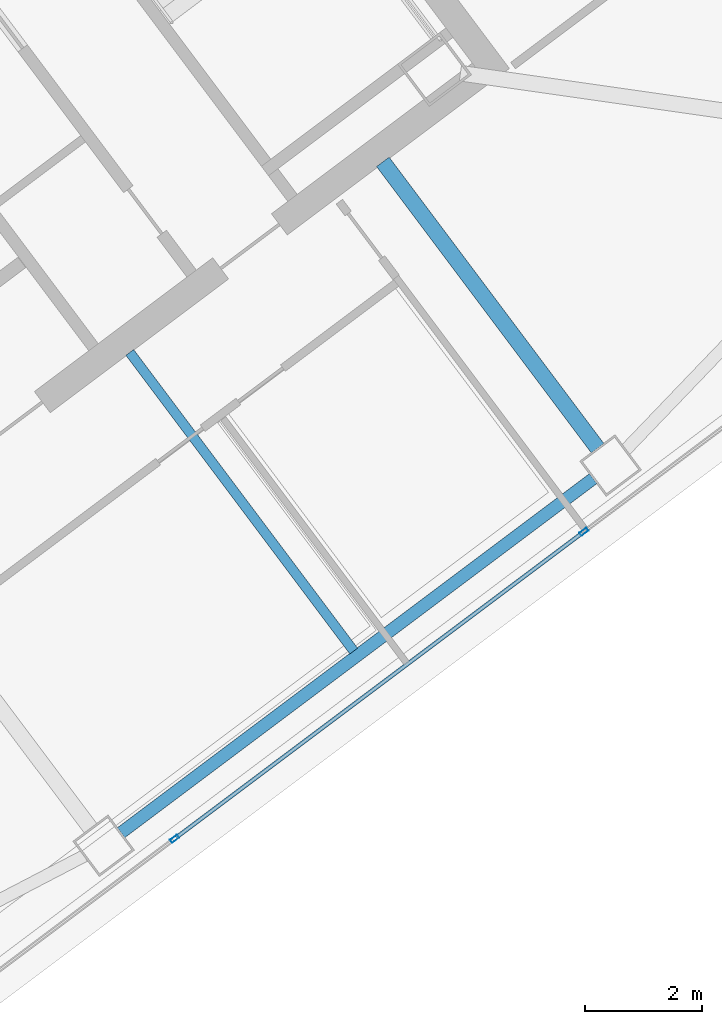
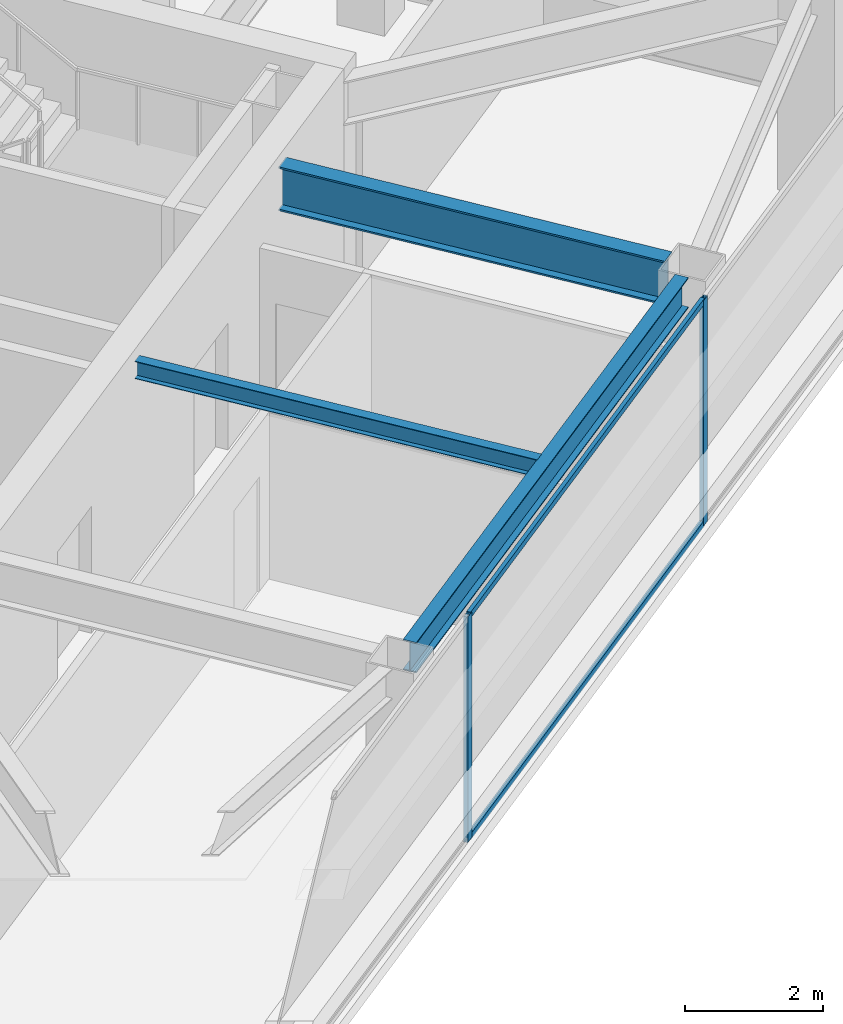
# One storey, part 33 of 53: 4 members, 3 beams, 1 element without a shape of its own.
"""IFC4 building model written with IfcOpenShell, lengths in metres."""

from ifc_helpers import new_model, si_unit, direction, frame, origin, origin_2d, place, context, subcontext, project, spatial, hollow_rectangle, i_section, extrude, material, material_profile, profile_set, type_object, element, aggregate, save


model = new_model("IFC4")

# Units and contexts
model_context = context("Model", 3, precision=1e-05, world=origin(), true_north=direction((0.0, 1.0)))
body_context = subcontext(model_context, "Body", "Model", "MODEL_VIEW")
ifc_project = project(units=[si_unit("LENGTHUNIT", "METRE"), si_unit("AREAUNIT", "SQUARE_METRE"), si_unit("VOLUMEUNIT", "CUBIC_METRE"), si_unit("PLANEANGLEUNIT", "RADIAN"), si_unit("MASSUNIT", "GRAM", prefix="KILO")], contexts=[model_context])

# Site, building, storey
site_placement = place(None, origin())
site = spatial("IfcSite", under=ifc_project, at=site_placement, CompositionType="ELEMENT")
building_placement = place(site_placement, origin())
building = spatial("IfcBuilding", under=site, at=building_placement, Name="Tashvorn Skyway Center", CompositionType="ELEMENT")
storey_placement = place(building_placement, frame((0.0, 0.0, 255.39990234375)))
storey = spatial("IfcBuildingStorey", under=building, at=storey_placement, Name="L69", CompositionType="ELEMENT", Elevation=255.39990234375)

# Beams
ifc_material_1 = material(Name="Steel ASTM A992 Grade 50", Category="steel")
ifc_material_profile_1 = material_profile(ifc_material_1, i_section(OverallWidth=0.26708984375, OverallDepth=0.779052734375, WebThickness=0.0166015625, FlangeThickness=0.030029296875, at=origin_2d()), Name="W30X148")
ifc_profile_set_1 = profile_set([ifc_material_profile_1], Name="Steel ASTM A992 Grade 50")
beam_type_1 = type_object("IfcBeamType", Name="BM-BEAM-W30X148", PredefinedType="BEAM", material=ifc_profile_set_1)
beam_1_placement = place(storey_placement, frame((126.64794921875, 24.135986328125, 3.390625), z_axis=(-0.599980788915, 0.800014407953, 0.0), x_axis=(-0.800014407953, -0.599980788915, 0.0)))
element("IfcBeam", 1, at=beam_1_placement, inside=storey, type_object=beam_type_1, Name="Tower 2 L69 Primary Floor Girder FC-S2", PredefinedType="BEAM", context=body_context, shape_type="SweptSolid", body=[
    extrude(i_section(OverallWidth=0.26708984375, OverallDepth=0.779052734375, WebThickness=0.0166015625, FlangeThickness=0.030029296875, at=origin_2d()), origin(), (0.0, 0.0, 1.0), 6.10009765625),
])
ifc_material_profile_2 = material_profile(ifc_material_1, i_section(OverallWidth=0.1650390625, OverallDepth=0.31005859375, WebThickness=0.005859375, FlangeThickness=0.009765625, at=origin_2d()), Name="W12X26")
ifc_profile_set_2 = profile_set([ifc_material_profile_2], Name="Steel ASTM A992 Grade 50")
beam_type_2 = type_object("IfcBeamType", Name="BM-JOIST-W12X26", PredefinedType="JOIST", material=ifc_profile_set_2)
beam_2_placement = place(storey_placement, frame((118.674072265625, 25.76806640625, 3.625), z_axis=(0.599981581373, -0.800013813639, 0.0), x_axis=(0.800013813639, 0.599981581373, 0.0)))
element("IfcBeam", 2, at=beam_2_placement, inside=storey, type_object=beam_type_2, Name="Tower 2 L69 Secondary Composite Joist JS", PredefinedType="JOIST", context=body_context, shape_type="SweptSolid", body=[
    extrude(i_section(OverallWidth=0.1650390625, OverallDepth=0.31005859375, WebThickness=0.005859375, FlangeThickness=0.009765625, at=origin_2d()), origin(), (0.0, 0.0, 1.0), 6.362548828125),
])
ifc_material_profile_3 = material_profile(ifc_material_1, i_section(OverallWidth=0.2109375, OverallDepth=0.5390625, WebThickness=0.01171875, FlangeThickness=0.018798828125, at=origin_2d()), Name="W21X73")
ifc_profile_set_3 = profile_set([ifc_material_profile_3], Name="Steel ASTM A992 Grade 50")
beam_type_3 = type_object("IfcBeamType", Name="BM-SPANDREL-W21X73", PredefinedType="SPANDREL", material=ifc_profile_set_3)
beam_3_placement = place(storey_placement, frame((118.52587890625, 17.58203125, 3.510498046875), z_axis=(0.800008736549, 0.599988351091, 0.0), x_axis=(-0.599988351091, 0.800008736549, 0.0)))
element("IfcBeam", 3, at=beam_3_placement, inside=storey, type_object=beam_type_3, Name="Tower 2 L69 Spandrel Beam 02", PredefinedType="SPANDREL", context=body_context, shape_type="SweptSolid", body=[
    extrude(i_section(OverallWidth=0.2109375, OverallDepth=0.5390625, WebThickness=0.01171875, FlangeThickness=0.018798828125, at=origin_2d()), origin(), (0.0, 0.0, 1.0), 10.06005859375),
])

# Curtain wall, members
ifc_material_2 = material(Name="Thermally broken bronze-anodized aluminium 6063-T6", Category="aluminium")
curtain_wall_type = type_object("IfcCurtainWallType", Name="CW-CW-SKY", PredefinedType="NOTDEFINED", material=ifc_material_2)
curtain_wall_placement = place(storey_placement, origin())
curtain_wall = element("IfcCurtainWall", 4, at=curtain_wall_placement, inside=storey, type_object=curtain_wall_type, Name="Tower 2 L69 South Unitised Curtain Wall", PredefinedType="NOTDEFINED")
ifc_material_profile_4 = material_profile(ifc_material_2, hollow_rectangle(XDim=0.06494140625, YDim=0.14990234375, WallThickness=0.00390625, at=origin_2d()), Name="ALU-MULL-65x150")
ifc_profile_set_4 = profile_set([ifc_material_profile_4], Name="Thermally broken bronze-anodized aluminium 6063-T6")
member_type_1 = type_object("IfcMemberType", Name="CWM-CW-SKY", PredefinedType="MULLION", material=ifc_profile_set_4)
member_1_placement = place(storey_placement, frame((126.416015625, 22.7119140625, 0.0), z_axis=(0.0, 0.0, 1.0), x_axis=(0.600000000002, -0.799999999998, 0.0)))
member_1 = element("IfcMember", 5, at=member_1_placement, type_object=member_type_1, Name="CW-SKY mullion 2", PredefinedType="MULLION", context=body_context, shape_type="SweptSolid", body=[
    extrude(hollow_rectangle(XDim=0.06494140625, YDim=0.14990234375, WallThickness=0.00390625, at=origin_2d()), origin(), (0.0, 0.0, 1.0), 4.0),
])
member_2_placement = place(storey_placement, frame((119.43994140625, 17.47998046875, 0.0), z_axis=(0.0, 0.0, 1.0), x_axis=(0.600000000002, -0.799999999998, 0.0)))
member_2 = element("IfcMember", 6, at=member_2_placement, type_object=member_type_1, Name="CW-SKY mullion 3", PredefinedType="MULLION", context=body_context, shape_type="SweptSolid", body=[
    extrude(hollow_rectangle(XDim=0.06494140625, YDim=0.14990234375, WallThickness=0.00390625, at=origin_2d()), origin(), (0.0, 0.0, 1.0), 4.0),
])
ifc_material_profile_5 = material_profile(ifc_material_2, hollow_rectangle(XDim=0.06494140625, YDim=0.10498046875, WallThickness=0.00390625, at=origin_2d()), Name="ALU-TRAN-65x105")
ifc_profile_set_5 = profile_set([ifc_material_profile_5], Name="Thermally broken bronze-anodized aluminium 6063-T6")
member_type_2 = type_object("IfcMemberType", Name="CWT-CW-SKY", PredefinedType="USERDEFINED", material=ifc_profile_set_5)
member_3_placement = place(storey_placement, frame((126.389892578125, 22.6923828125, 0.03271484375), z_axis=(-0.8, -0.6, 0.0), x_axis=(0.6, -0.8, 0.0)))
member_3 = element("IfcMember", 7, at=member_3_placement, type_object=member_type_2, Name="CW-SKY transom 2.1", ObjectType="TRANSOM", PredefinedType="USERDEFINED", context=body_context, shape_type="SweptSolid", body=[
    extrude(hollow_rectangle(XDim=0.06494140625, YDim=0.10498046875, WallThickness=0.00390625, at=origin_2d()), origin(), (0.0, 0.0, 1.0), 8.65478515625),
])
member_4_placement = place(storey_placement, frame((126.389892578125, 22.6923828125, 3.967529296875), z_axis=(-0.8, -0.6, 0.0), x_axis=(0.6, -0.8, 0.0)))
member_4 = element("IfcMember", 8, at=member_4_placement, type_object=member_type_2, Name="CW-SKY transom 2.2", ObjectType="TRANSOM", PredefinedType="USERDEFINED", context=body_context, shape_type="SweptSolid", body=[
    extrude(hollow_rectangle(XDim=0.06494140625, YDim=0.10498046875, WallThickness=0.00390625, at=origin_2d()), origin(), (0.0, 0.0, 1.0), 8.65478515625),
])
aggregate(curtain_wall, [member_1, member_2, member_3, member_4])

save(model, "model.ifc")
